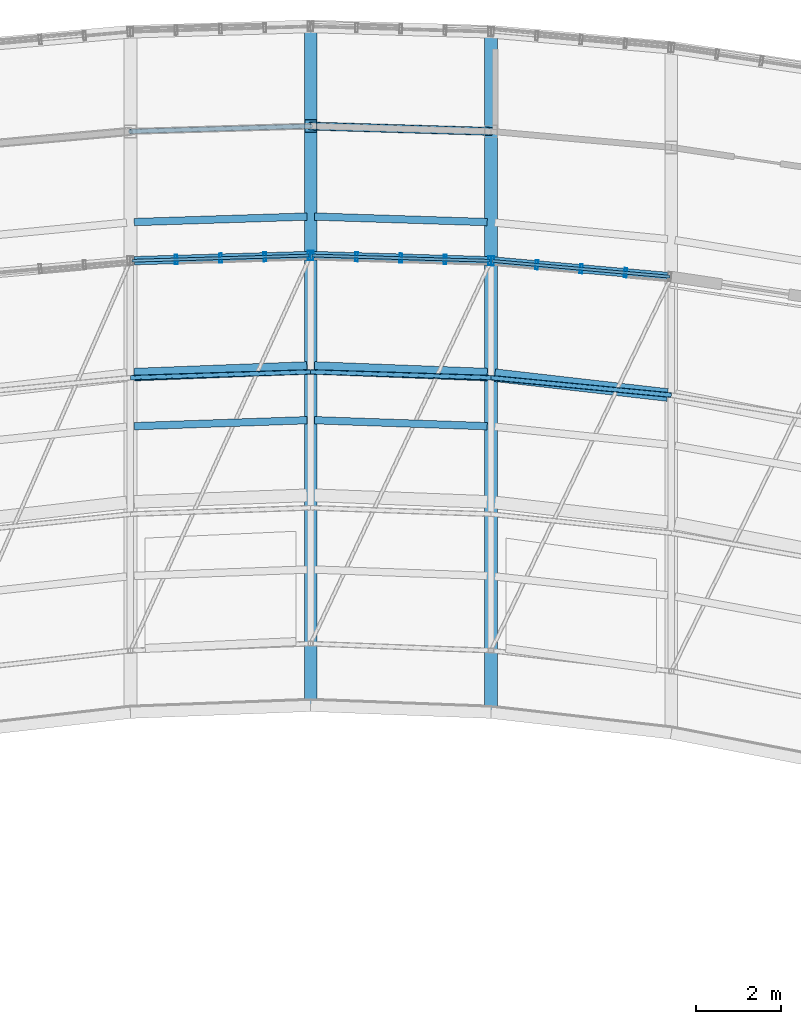
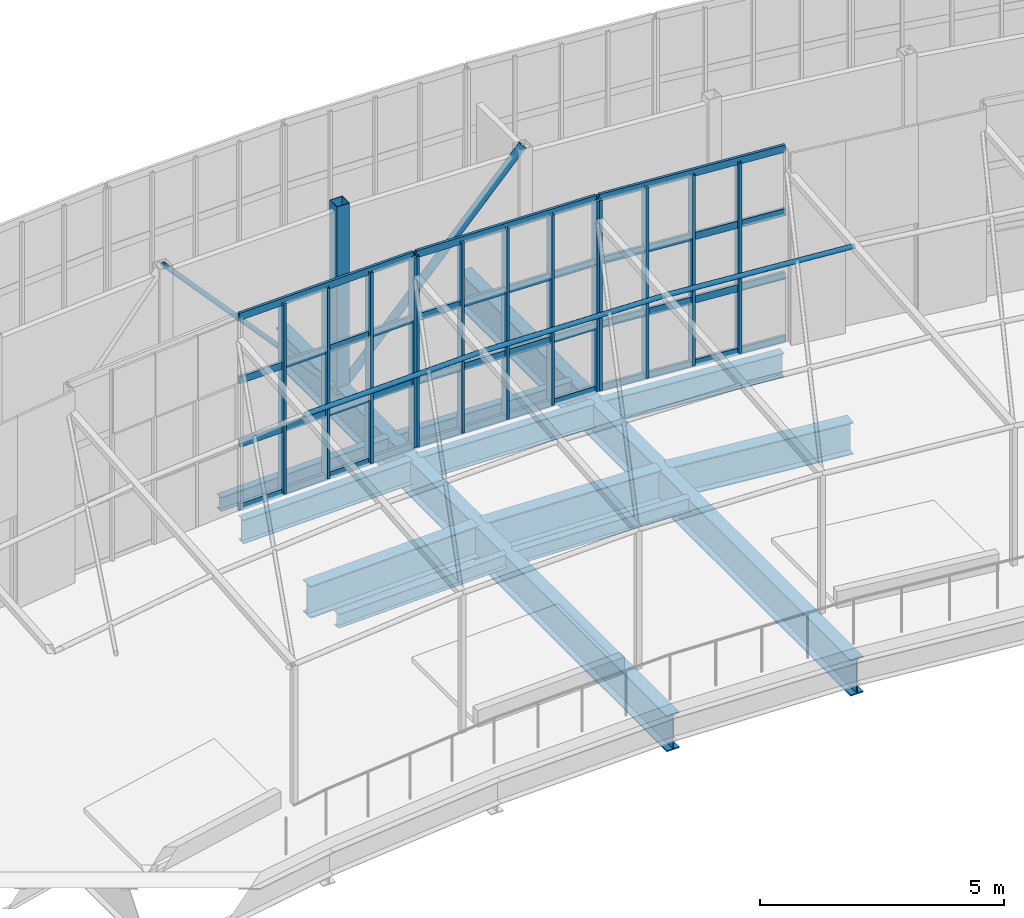
# One storey, part 20 of 35: 31 members, 12 beams, 3 elements without a shape of their own.
"""IFC4 building model written with IfcOpenShell, lengths in metres."""

from ifc_helpers import new_model, si_unit, direction, frame, origin, origin_2d, place, context, subcontext, project, spatial, hollow_rectangle, hollow_circle, i_section, extrude, material, material_profile, profile_set, type_object, element, aggregate, save


model = new_model("IFC4")

# Units and contexts
model_context = context("Model", 3, precision=1e-05, world=origin(), true_north=direction((0.0, 1.0)))
body_context = subcontext(model_context, "Body", "Model", "MODEL_VIEW")
ifc_project = project(units=[si_unit("LENGTHUNIT", "METRE"), si_unit("AREAUNIT", "SQUARE_METRE"), si_unit("VOLUMEUNIT", "CUBIC_METRE"), si_unit("PLANEANGLEUNIT", "RADIAN"), si_unit("MASSUNIT", "GRAM", prefix="KILO")], contexts=[model_context])

# Site, building, storey
site_placement = place(None, origin())
site = spatial("IfcSite", under=ifc_project, at=site_placement, CompositionType="ELEMENT")
building_placement = place(site_placement, origin())
building = spatial("IfcBuilding", under=site, at=building_placement, Name="Solvikara Media Centre", CompositionType="ELEMENT")
storey_placement = place(building_placement, frame((0.0, 0.0, 29.39990234375)))
storey = spatial("IfcBuildingStorey", under=building, at=storey_placement, Name="L06", CompositionType="ELEMENT", Elevation=29.39990234375)

# Beams
ifc_material_1 = material(Name="Steel S355JR", Category="steel")
ifc_material_profile_1 = material_profile(ifc_material_1, i_section(OverallWidth=0.300048828125, OverallDepth=0.89990234375, WebThickness=0.01611328125, FlangeThickness=0.028076171875, at=origin_2d()), Name="WF 900x300x16x28")
ifc_profile_set_1 = profile_set([ifc_material_profile_1], Name="Steel S355JR")
beam_type_1 = type_object("IfcBeamType", Name="BM-15", PredefinedType="BEAM", material=ifc_profile_set_1)
beam_1_placement = place(storey_placement, frame((102.0, 25.467041015625, -0.721923828125), z_axis=(0.0, 1.0, 0.0), x_axis=(-1.0, 0.0, 0.0)))
element("IfcBeam", 1, at=beam_1_placement, inside=storey, type_object=beam_type_1, Name="BG-L06-NS-06", PredefinedType="BEAM", context=body_context, shape_type="SweptSolid", body=[
    extrude(i_section(OverallWidth=0.300048828125, OverallDepth=0.89990234375, WebThickness=0.01611328125, FlangeThickness=0.028076171875, at=origin_2d()), origin(), (0.0, 0.0, 1.0), 16.0),
])
beam_2_placement = place(storey_placement, frame((106.25, 25.304931640625, -0.721923828125), z_axis=(0.0, 1.0, 0.0), x_axis=(-1.0, 0.0, 0.0)))
element("IfcBeam", 2, at=beam_2_placement, inside=storey, type_object=beam_type_1, Name="BG-L06-NS-07", PredefinedType="BEAM", context=body_context, shape_type="SweptSolid", body=[
    extrude(i_section(OverallWidth=0.300048828125, OverallDepth=0.89990234375, WebThickness=0.01611328125, FlangeThickness=0.028076171875, at=origin_2d()), origin(), (0.0, 0.0, 1.0), 16.0361328125),
])
ifc_material_profile_2 = material_profile(ifc_material_1, i_section(OverallWidth=0.300048828125, OverallDepth=0.800048828125, WebThickness=0.013916015625, FlangeThickness=0.02587890625, at=origin_2d()), Name="WF 800x300x14x26")
ifc_profile_set_2 = profile_set([ifc_material_profile_2], Name="Steel S355JR")
beam_type_2 = type_object("IfcBeamType", Name="BM-16", PredefinedType="BEAM", material=ifc_profile_set_2)
for number, where, z_axis, x_axis, name in (
    (3, (97.840087890625, 33.258056640625, -0.671875), (0.999266124753, 0.038304202383, 0.0), (-0.038304202383, 0.999266124753, 0.0), "B-L06-SPNN-05"),
    (4, (102.090087890625, 33.4140625, -0.671875), (0.999266124753, -0.038304202383, 0.0), (0.038304202383, 0.999266124753, 0.0), "B-L06-SPNN-06"),
):
    element("IfcBeam", number, at=place(storey_placement, frame(where, z_axis=z_axis, x_axis=x_axis)), inside=storey, type_object=beam_type_2, Name=name, PredefinedType="BEAM", context=body_context, shape_type="SweptSolid", body=[
        extrude(i_section(OverallWidth=0.300048828125, OverallDepth=0.800048828125, WebThickness=0.013916015625, FlangeThickness=0.02587890625, at=origin_2d()), origin(), (0.0, 0.0, 1.0), 4.07275390625),
    ])
beam_3_placement = place(storey_placement, frame((106.339111328125, 33.2451171875, -0.671875), z_axis=(0.993485932274, -0.113954826025, 0.0), x_axis=(0.113954826025, 0.993485932274, 0.0)))
element("IfcBeam", 5, at=beam_3_placement, inside=storey, type_object=beam_type_2, Name="B-L06-SPNN-07", PredefinedType="BEAM", context=body_context, shape_type="SweptSolid", body=[
    extrude(i_section(OverallWidth=0.300048828125, OverallDepth=0.800048828125, WebThickness=0.013916015625, FlangeThickness=0.02587890625, at=origin_2d()), origin(), (0.0, 0.0, 1.0), 4.098388671875),
])
ifc_material_profile_3 = material_profile(ifc_material_1, i_section(OverallWidth=0.199951171875, OverallDepth=0.60009765625, WebThickness=0.010986328125, FlangeThickness=0.01708984375, at=origin_2d()), Name="WF 600x200x11x17")
ifc_profile_set_3 = profile_set([ifc_material_profile_3], Name="Steel S355JR")
beam_type_3 = type_object("IfcBeamType", Name="BM-18", PredefinedType="BEAM", material=ifc_profile_set_3)
for number, where, z_axis, x_axis, name in (
    (6, (97.840087890625, 35.944091796875, -0.572021484375), (0.99956650976, 0.029441341109, 0.0), (-0.029441341109, 0.99956650976, 0.0), "BG-L06-GAL-06"),
    (7, (102.090087890625, 36.06396484375, -0.572021484375), (0.99956650976, -0.029441341109, 0.0), (0.029441341109, 0.99956650976, 0.0), "BG-L06-GAL-07"),
):
    element("IfcBeam", number, at=place(storey_placement, frame(where, z_axis=z_axis, x_axis=x_axis)), inside=storey, type_object=beam_type_3, Name=name, PredefinedType="BEAM", context=body_context, shape_type="SweptSolid", body=[
        extrude(i_section(OverallWidth=0.199951171875, OverallDepth=0.60009765625, WebThickness=0.010986328125, FlangeThickness=0.01708984375, at=origin_2d()), origin(), (0.0, 0.0, 1.0), 4.071533203125),
    ])
beam_4_placement = place(storey_placement, frame((106.340087890625, 35.93310546875, -0.572021484375), z_axis=(0.996087265317, -0.088375108902, 0.0), x_axis=(0.088375108902, 0.996087265317, 0.0)))
element("IfcBeam", 8, at=beam_4_placement, inside=storey, type_object=beam_type_3, Name="BG-L06-GAL-08", PredefinedType="BEAM", context=body_context, shape_type="SweptSolid", body=[
    extrude(i_section(OverallWidth=0.199951171875, OverallDepth=0.60009765625, WebThickness=0.010986328125, FlangeThickness=0.01708984375, at=origin_2d()), origin(), (0.0, 0.0, 1.0), 4.085693359375),
])
ifc_material_profile_4 = material_profile(ifc_material_1, i_section(OverallWidth=0.175048828125, OverallDepth=0.35009765625, WebThickness=0.007080078125, FlangeThickness=0.010986328125, at=origin_2d()), Name="WF 350x175x7x11")
ifc_profile_set_4 = profile_set([ifc_material_profile_4], Name="Steel S355JR")
beam_type_4 = type_object("IfcBeamType", Name="BM-22", PredefinedType="JOIST", material=ifc_profile_set_4)
beam_5_placement = place(storey_placement, frame((97.840087890625, 32.04296875, -0.447021484375), z_axis=(0.999399430727, 0.034652241809, 0.0), x_axis=(-0.034652241809, 0.999399430727, 0.0)))
element("IfcBeam", 9, at=beam_5_placement, inside=storey, type_object=beam_type_4, Name="BJ-L06-05-42", PredefinedType="JOIST", context=body_context, shape_type="SweptSolid", body=[
    extrude(i_section(OverallWidth=0.175048828125, OverallDepth=0.35009765625, WebThickness=0.007080078125, FlangeThickness=0.010986328125, at=origin_2d()), origin(), (0.0, 0.0, 1.0), 4.072265625),
])
beam_6_placement = place(storey_placement, frame((97.840087890625, 36.85400390625, -0.44482421875), z_axis=(0.999491149174, 0.031897378006, 0.0), x_axis=(-0.031897378006, 0.999491149174, 0.0)))
element("IfcBeam", 10, at=beam_6_placement, inside=storey, type_object=beam_type_4, Name="BJ-L06-05-72", PredefinedType="JOIST", context=body_context, shape_type="SweptSolid", body=[
    extrude(i_section(OverallWidth=0.175048828125, OverallDepth=0.35009765625, WebThickness=0.007080078125, FlangeThickness=0.010986328125, at=origin_2d()), origin(), (0.0, 0.0, 1.0), 4.07177734375),
])
beam_7_placement = place(storey_placement, frame((102.090087890625, 32.18408203125, -0.447021484375), z_axis=(0.999399430727, -0.034652241809, 0.0), x_axis=(0.034652241809, 0.999399430727, 0.0)))
element("IfcBeam", 11, at=beam_7_placement, inside=storey, type_object=beam_type_4, Name="BJ-L06-06-42", PredefinedType="JOIST", context=body_context, shape_type="SweptSolid", body=[
    extrude(i_section(OverallWidth=0.175048828125, OverallDepth=0.35009765625, WebThickness=0.007080078125, FlangeThickness=0.010986328125, at=origin_2d()), origin(), (0.0, 0.0, 1.0), 4.072265625),
])
beam_8_placement = place(storey_placement, frame((102.090087890625, 36.98388671875, -0.44482421875), z_axis=(0.999491149174, -0.031897378006, 0.0), x_axis=(0.031897378006, 0.999491149174, 0.0)))
element("IfcBeam", 12, at=beam_8_placement, inside=storey, type_object=beam_type_4, Name="BJ-L06-06-72", PredefinedType="JOIST", context=body_context, shape_type="SweptSolid", body=[
    extrude(i_section(OverallWidth=0.175048828125, OverallDepth=0.35009765625, WebThickness=0.007080078125, FlangeThickness=0.010986328125, at=origin_2d()), origin(), (0.0, 0.0, 1.0), 4.07177734375),
])

# Members
ifc_material_profile_5 = material_profile(ifc_material_1, hollow_circle(Radius=0.096923828125, WallThickness=0.008056640625, at=origin_2d()), Name="CHS 193.7x8")
ifc_profile_set_5 = profile_set([ifc_material_profile_5], Name="Steel S355JR")
member_type_1 = type_object("IfcMemberType", Name="MB-06", PredefinedType="BRACE", material=ifc_profile_set_5)
member_1_placement = place(storey_placement, frame((102.0, 39.116943359375, -0.449951171875), z_axis=(0.670578008014, -0.019876967609, 0.741572681082), x_axis=(0.029628530849, 0.99956097871, 0.0)))
element("IfcMember", 13, at=member_1_placement, inside=storey, type_object=member_type_1, Name="SKY-TR-M-DA06", PredefinedType="BRACE", context=body_context, shape_type="SweptSolid", body=[
    extrude(hollow_circle(Radius=0.096923828125, WallThickness=0.008056640625, at=origin_2d()), origin(), (0.0, 0.0, 1.0), 6.337890625),
])
ifc_material_profile_6 = material_profile(ifc_material_1, hollow_circle(Radius=0.05712890625, WallThickness=0.006103515625, at=origin_2d()), Name="CHS 114.3x6")
ifc_profile_set_6 = profile_set([ifc_material_profile_6], Name="Steel S355JR")
member_type_2 = type_object("IfcMemberType", Name="MB-09", PredefinedType="BRACE", material=ifc_profile_set_6)
member_2_placement = place(storey_placement, frame((97.75, 38.990966796875, 4.25), z_axis=(0.670578008014, 0.019876967609, -0.741572681082), x_axis=(-0.029628530849, 0.99956097871, 0.0)))
element("IfcMember", 14, at=member_2_placement, inside=storey, type_object=member_type_2, Name="SKY-TR-M-DB05", PredefinedType="BRACE", context=body_context, shape_type="SweptSolid", body=[
    extrude(hollow_circle(Radius=0.05712890625, WallThickness=0.006103515625, at=origin_2d()), origin(), (0.0, 0.0, 1.0), 6.337890625),
])
for number, where, z_axis, x_axis, name in (
    (15, (97.75, 33.18505859375, 4.010009765625), (0.999481128456, 0.032209841054, 0.0), (-0.032209841054, 0.999481128456, 0.0), "PERG-LVR-06-70"),
    (16, (102.0, 33.322021484375, 4.010009765625), (0.999481128456, -0.032209841054, 0.0), (0.032209841054, 0.999481128456, 0.0), "PERG-LVR-07-70"),
):
    element("IfcMember", number, at=place(storey_placement, frame(where, z_axis=z_axis, x_axis=x_axis)), inside=storey, type_object=member_type_2, Name=name, PredefinedType="BRACE", context=body_context, shape_type="SweptSolid", body=[
        extrude(hollow_circle(Radius=0.05712890625, WallThickness=0.006103515625, at=origin_2d()), origin(), (0.0, 0.0, 1.0), 4.252197265625),
    ])
member_3_placement = place(storey_placement, frame((106.25, 33.18505859375, 4.010009765625), z_axis=(0.995375444146, -0.096061049297, 0.0), x_axis=(0.096061049297, 0.995375444146, 0.0)))
element("IfcMember", 17, at=member_3_placement, inside=storey, type_object=member_type_2, Name="PERG-LVR-08-70", PredefinedType="BRACE", context=body_context, shape_type="SweptSolid", body=[
    extrude(hollow_circle(Radius=0.05712890625, WallThickness=0.006103515625, at=origin_2d()), origin(), (0.0, 0.0, 1.0), 4.269775390625),
])
ifc_material_profile_7 = material_profile(ifc_material_1, hollow_rectangle(XDim=0.300048828125, YDim=0.300048828125, WallThickness=0.012451171875, at=origin_2d()), Name="RHS 300x300x12.5")
ifc_profile_set_7 = profile_set([ifc_material_profile_7], Name="Steel S355JR")
member_type_3 = type_object("IfcMemberType", Name="MB-11", PredefinedType="CHORD", material=ifc_profile_set_7)
member_4_placement = place(storey_placement, frame((102.0, 39.116943359375, -0.449951171875), z_axis=(0.0, 0.0, 1.0), x_axis=(1.0, 0.0, 0.0)))
element("IfcMember", 18, at=member_4_placement, inside=storey, type_object=member_type_3, Name="SKY-TR-M-V06", PredefinedType="CHORD", context=body_context, shape_type="SweptSolid", body=[
    extrude(hollow_rectangle(XDim=0.300048828125, YDim=0.300048828125, WallThickness=0.012451171875, at=origin_2d()), origin(), (0.0, 0.0, 1.0), 4.699951171875),
])

# Curtain wall, members
ifc_material_2 = material(Name="Anodised aluminium EN AW-6063", Category="aluminium")
curtain_wall_type = type_object("IfcCurtainWallType", Name="CW-13", PredefinedType="NOTDEFINED", material=ifc_material_2)
curtain_wall_1_placement = place(storey_placement, origin())
curtain_wall_1 = element("IfcCurtainWall", 19, at=curtain_wall_1_placement, inside=storey, type_object=curtain_wall_type, Name="CW-L06-GALS-05", PredefinedType="NOTDEFINED")
ifc_material_profile_8 = material_profile(ifc_material_2, hollow_rectangle(XDim=0.06494140625, YDim=0.219970703125, WallThickness=0.00390625, at=origin_2d()), Name="ALU-M 65x220x4")
ifc_profile_set_8 = profile_set([ifc_material_profile_8], Name="Anodised aluminium EN AW-6063")
member_type_4 = type_object("IfcMemberType", Name="MF-01", PredefinedType="MULLION", material=ifc_profile_set_8)
member_5_placement = place(storey_placement, frame((98.830078125, 35.972900390625, 0.02001953125), z_axis=(0.0, 0.0, 1.0), x_axis=(0.999560377741, 0.02964879847, 0.0)))
member_5 = element("IfcMember", 20, at=member_5_placement, type_object=member_type_4, Name="CW-L06-GALS-05-M01", PredefinedType="MULLION", context=body_context, shape_type="SweptSolid", body=[
    extrude(hollow_rectangle(XDim=0.06494140625, YDim=0.219970703125, WallThickness=0.00390625, at=origin_2d()), origin(), (0.0, 0.0, 1.0), 4.760009765625),
])
member_6_placement = place(storey_placement, frame((99.875, 36.00390625, 0.02001953125), z_axis=(0.0, 0.0, 1.0), x_axis=(0.999560377741, 0.02964879847, 0.0)))
member_6 = element("IfcMember", 21, at=member_6_placement, type_object=member_type_4, Name="CW-L06-GALS-05-M02", PredefinedType="MULLION", context=body_context, shape_type="SweptSolid", body=[
    extrude(hollow_rectangle(XDim=0.06494140625, YDim=0.219970703125, WallThickness=0.00390625, at=origin_2d()), origin(), (0.0, 0.0, 1.0), 4.760009765625),
])
member_7_placement = place(storey_placement, frame((100.919921875, 36.034912109375, 0.02001953125), z_axis=(0.0, 0.0, 1.0), x_axis=(0.999560377741, 0.02964879847, 0.0)))
member_7 = element("IfcMember", 22, at=member_7_placement, type_object=member_type_4, Name="CW-L06-GALS-05-M03", PredefinedType="MULLION", context=body_context, shape_type="SweptSolid", body=[
    extrude(hollow_rectangle(XDim=0.06494140625, YDim=0.219970703125, WallThickness=0.00390625, at=origin_2d()), origin(), (0.0, 0.0, 1.0), 4.760009765625),
])
member_8_placement = place(storey_placement, frame((101.965087890625, 36.06591796875, 0.02001953125), z_axis=(0.0, 0.0, 1.0), x_axis=(0.999560377741, 0.02964879847, 0.0)))
member_8 = element("IfcMember", 23, at=member_8_placement, type_object=member_type_4, Name="CW-L06-GALS-05-M04", PredefinedType="MULLION", context=body_context, shape_type="SweptSolid", body=[
    extrude(hollow_rectangle(XDim=0.06494140625, YDim=0.219970703125, WallThickness=0.00390625, at=origin_2d()), origin(), (0.0, 0.0, 1.0), 4.760009765625),
])

curtain_wall_2_placement = place(storey_placement, origin())
curtain_wall_2 = element("IfcCurtainWall", 24, at=curtain_wall_2_placement, inside=storey, type_object=curtain_wall_type, Name="CW-L06-GALS-06", PredefinedType="NOTDEFINED")
member_9_placement = place(storey_placement, frame((102.034912109375, 36.06591796875, 0.02001953125), z_axis=(0.0, 0.0, 1.0), x_axis=(0.999560377741, -0.02964879847, 0.0)))
member_9 = element("IfcMember", 25, at=member_9_placement, type_object=member_type_4, Name="CW-L06-GALS-06-M00", PredefinedType="MULLION", context=body_context, shape_type="SweptSolid", body=[
    extrude(hollow_rectangle(XDim=0.06494140625, YDim=0.219970703125, WallThickness=0.00390625, at=origin_2d()), origin(), (0.0, 0.0, 1.0), 4.760009765625),
])
member_10_placement = place(storey_placement, frame((103.080078125, 36.034912109375, 0.02001953125), z_axis=(0.0, 0.0, 1.0), x_axis=(0.999560377741, -0.02964879847, 0.0)))
member_10 = element("IfcMember", 26, at=member_10_placement, type_object=member_type_4, Name="CW-L06-GALS-06-M01", PredefinedType="MULLION", context=body_context, shape_type="SweptSolid", body=[
    extrude(hollow_rectangle(XDim=0.06494140625, YDim=0.219970703125, WallThickness=0.00390625, at=origin_2d()), origin(), (0.0, 0.0, 1.0), 4.760009765625),
])
member_11_placement = place(storey_placement, frame((104.125, 36.00390625, 0.02001953125), z_axis=(0.0, 0.0, 1.0), x_axis=(0.999560377741, -0.02964879847, 0.0)))
member_11 = element("IfcMember", 27, at=member_11_placement, type_object=member_type_4, Name="CW-L06-GALS-06-M02", PredefinedType="MULLION", context=body_context, shape_type="SweptSolid", body=[
    extrude(hollow_rectangle(XDim=0.06494140625, YDim=0.219970703125, WallThickness=0.00390625, at=origin_2d()), origin(), (0.0, 0.0, 1.0), 4.760009765625),
])
member_12_placement = place(storey_placement, frame((105.169921875, 35.972900390625, 0.02001953125), z_axis=(0.0, 0.0, 1.0), x_axis=(0.999560377741, -0.02964879847, 0.0)))
member_12 = element("IfcMember", 28, at=member_12_placement, type_object=member_type_4, Name="CW-L06-GALS-06-M03", PredefinedType="MULLION", context=body_context, shape_type="SweptSolid", body=[
    extrude(hollow_rectangle(XDim=0.06494140625, YDim=0.219970703125, WallThickness=0.00390625, at=origin_2d()), origin(), (0.0, 0.0, 1.0), 4.760009765625),
])
member_13_placement = place(storey_placement, frame((106.215087890625, 35.94189453125, 0.02001953125), z_axis=(0.0, 0.0, 1.0), x_axis=(0.999560377741, -0.02964879847, 0.0)))
member_13 = element("IfcMember", 29, at=member_13_placement, type_object=member_type_4, Name="CW-L06-GALS-06-M04", PredefinedType="MULLION", context=body_context, shape_type="SweptSolid", body=[
    extrude(hollow_rectangle(XDim=0.06494140625, YDim=0.219970703125, WallThickness=0.00390625, at=origin_2d()), origin(), (0.0, 0.0, 1.0), 4.760009765625),
])

curtain_wall_3_placement = place(storey_placement, origin())
curtain_wall_3 = element("IfcCurtainWall", 30, at=curtain_wall_3_placement, inside=storey, type_object=curtain_wall_type, Name="CW-L06-GALS-07", PredefinedType="NOTDEFINED")
member_14_placement = place(storey_placement, frame((106.284912109375, 35.93798828125, 0.02001953125), z_axis=(0.0, 0.0, 1.0), x_axis=(0.99608438842, -0.088407528781, 0.0)))
member_14 = element("IfcMember", 31, at=member_14_placement, type_object=member_type_4, Name="CW-L06-GALS-07-M00", PredefinedType="MULLION", context=body_context, shape_type="SweptSolid", body=[
    extrude(hollow_rectangle(XDim=0.06494140625, YDim=0.219970703125, WallThickness=0.00390625, at=origin_2d()), origin(), (0.0, 0.0, 1.0), 4.760009765625),
])
member_15_placement = place(storey_placement, frame((107.330078125, 35.844970703125, 0.02001953125), z_axis=(0.0, 0.0, 1.0), x_axis=(0.99608438842, -0.088407528781, 0.0)))
member_15 = element("IfcMember", 32, at=member_15_placement, type_object=member_type_4, Name="CW-L06-GALS-07-M01", PredefinedType="MULLION", context=body_context, shape_type="SweptSolid", body=[
    extrude(hollow_rectangle(XDim=0.06494140625, YDim=0.219970703125, WallThickness=0.00390625, at=origin_2d()), origin(), (0.0, 0.0, 1.0), 4.760009765625),
])
member_16_placement = place(storey_placement, frame((108.375, 35.7529296875, 0.02001953125), z_axis=(0.0, 0.0, 1.0), x_axis=(0.99608438842, -0.088407528781, 0.0)))
member_16 = element("IfcMember", 33, at=member_16_placement, type_object=member_type_4, Name="CW-L06-GALS-07-M02", PredefinedType="MULLION", context=body_context, shape_type="SweptSolid", body=[
    extrude(hollow_rectangle(XDim=0.06494140625, YDim=0.219970703125, WallThickness=0.00390625, at=origin_2d()), origin(), (0.0, 0.0, 1.0), 4.760009765625),
])
member_17_placement = place(storey_placement, frame((109.419921875, 35.659912109375, 0.02001953125), z_axis=(0.0, 0.0, 1.0), x_axis=(0.99608438842, -0.088407528781, 0.0)))
member_17 = element("IfcMember", 34, at=member_17_placement, type_object=member_type_4, Name="CW-L06-GALS-07-M03", PredefinedType="MULLION", context=body_context, shape_type="SweptSolid", body=[
    extrude(hollow_rectangle(XDim=0.06494140625, YDim=0.219970703125, WallThickness=0.00390625, at=origin_2d()), origin(), (0.0, 0.0, 1.0), 4.760009765625),
])

# Member
ifc_material_profile_9 = material_profile(ifc_material_2, hollow_rectangle(XDim=0.06494140625, YDim=0.179931640625, WallThickness=0.00341796875, at=origin_2d()), Name="ALU-T 65x180x3.5")
ifc_profile_set_9 = profile_set([ifc_material_profile_9], Name="Anodised aluminium EN AW-6063")
member_type_5 = type_object("IfcMemberType", Name="MF-07", PredefinedType="USERDEFINED", material=ifc_profile_set_9)
member_18_placement = place(storey_placement, frame((97.784912109375, 35.94189453125, 0.02001953125), z_axis=(0.999560152797, 0.029656381125, 0.0), x_axis=(-0.029656381125, 0.999560152797, 0.0)))
member_18 = element("IfcMember", 35, at=member_18_placement, type_object=member_type_5, Name="CW-L06-GALS-05-T00", ObjectType="TRANSOM", PredefinedType="USERDEFINED", context=body_context, shape_type="SweptSolid", body=[
    extrude(hollow_rectangle(XDim=0.06494140625, YDim=0.179931640625, WallThickness=0.00341796875, at=origin_2d()), origin(), (0.0, 0.0, 1.0), 4.18212890625),
])

member_19_placement = place(storey_placement, frame((97.784912109375, 35.94189453125, 1.607177734375), z_axis=(0.999560152797, 0.029656381125, 0.0), x_axis=(-0.029656381125, 0.999560152797, 0.0)))
member_19 = element("IfcMember", 36, at=member_19_placement, type_object=member_type_5, Name="CW-L06-GALS-05-T01", ObjectType="TRANSOM", PredefinedType="USERDEFINED", context=body_context, shape_type="SweptSolid", body=[
    extrude(hollow_rectangle(XDim=0.06494140625, YDim=0.179931640625, WallThickness=0.00341796875, at=origin_2d()), origin(), (0.0, 0.0, 1.0), 4.18212890625),
])

member_20_placement = place(storey_placement, frame((97.784912109375, 35.94189453125, 3.193115234375), z_axis=(0.999560152797, 0.029656381125, 0.0), x_axis=(-0.029656381125, 0.999560152797, 0.0)))
member_20 = element("IfcMember", 37, at=member_20_placement, type_object=member_type_5, Name="CW-L06-GALS-05-T02", ObjectType="TRANSOM", PredefinedType="USERDEFINED", context=body_context, shape_type="SweptSolid", body=[
    extrude(hollow_rectangle(XDim=0.06494140625, YDim=0.179931640625, WallThickness=0.00341796875, at=origin_2d()), origin(), (0.0, 0.0, 1.0), 4.18212890625),
])

member_21_placement = place(storey_placement, frame((97.784912109375, 35.94189453125, 4.780029296875), z_axis=(0.999560152797, 0.029656381125, 0.0), x_axis=(-0.029656381125, 0.999560152797, 0.0)))
member_21 = element("IfcMember", 38, at=member_21_placement, type_object=member_type_5, Name="CW-L06-GALS-05-T03", ObjectType="TRANSOM", PredefinedType="USERDEFINED", context=body_context, shape_type="SweptSolid", body=[
    extrude(hollow_rectangle(XDim=0.06494140625, YDim=0.179931640625, WallThickness=0.00341796875, at=origin_2d()), origin(), (0.0, 0.0, 1.0), 4.18212890625),
])

aggregate(curtain_wall_1, [member_5, member_6, member_7, member_8, member_18, member_19, member_20, member_21])

member_22_placement = place(storey_placement, frame((102.034912109375, 36.06591796875, 0.02001953125), z_axis=(0.999560152797, -0.029656381125, 0.0), x_axis=(0.029656381125, 0.999560152797, 0.0)))
member_22 = element("IfcMember", 39, at=member_22_placement, type_object=member_type_5, Name="CW-L06-GALS-06-T00", ObjectType="TRANSOM", PredefinedType="USERDEFINED", context=body_context, shape_type="SweptSolid", body=[
    extrude(hollow_rectangle(XDim=0.06494140625, YDim=0.179931640625, WallThickness=0.00341796875, at=origin_2d()), origin(), (0.0, 0.0, 1.0), 4.18212890625),
])

member_23_placement = place(storey_placement, frame((102.034912109375, 36.06591796875, 1.607177734375), z_axis=(0.999560152797, -0.029656381125, 0.0), x_axis=(0.029656381125, 0.999560152797, 0.0)))
member_23 = element("IfcMember", 40, at=member_23_placement, type_object=member_type_5, Name="CW-L06-GALS-06-T01", ObjectType="TRANSOM", PredefinedType="USERDEFINED", context=body_context, shape_type="SweptSolid", body=[
    extrude(hollow_rectangle(XDim=0.06494140625, YDim=0.179931640625, WallThickness=0.00341796875, at=origin_2d()), origin(), (0.0, 0.0, 1.0), 4.18212890625),
])

member_24_placement = place(storey_placement, frame((102.034912109375, 36.06591796875, 3.193115234375), z_axis=(0.999560152797, -0.029656381125, 0.0), x_axis=(0.029656381125, 0.999560152797, 0.0)))
member_24 = element("IfcMember", 41, at=member_24_placement, type_object=member_type_5, Name="CW-L06-GALS-06-T02", ObjectType="TRANSOM", PredefinedType="USERDEFINED", context=body_context, shape_type="SweptSolid", body=[
    extrude(hollow_rectangle(XDim=0.06494140625, YDim=0.179931640625, WallThickness=0.00341796875, at=origin_2d()), origin(), (0.0, 0.0, 1.0), 4.18212890625),
])

member_25_placement = place(storey_placement, frame((102.034912109375, 36.06591796875, 4.780029296875), z_axis=(0.999560152797, -0.029656381125, 0.0), x_axis=(0.029656381125, 0.999560152797, 0.0)))
member_25 = element("IfcMember", 42, at=member_25_placement, type_object=member_type_5, Name="CW-L06-GALS-06-T03", ObjectType="TRANSOM", PredefinedType="USERDEFINED", context=body_context, shape_type="SweptSolid", body=[
    extrude(hollow_rectangle(XDim=0.06494140625, YDim=0.179931640625, WallThickness=0.00341796875, at=origin_2d()), origin(), (0.0, 0.0, 1.0), 4.18212890625),
])

aggregate(curtain_wall_2, [member_9, member_10, member_11, member_12, member_13, member_22, member_23, member_24, member_25])

member_26_placement = place(storey_placement, frame((106.284912109375, 35.93798828125, 0.02001953125), z_axis=(0.996082667522, -0.088426915935, 0.0), x_axis=(0.088426915935, 0.996082667522, 0.0)))
member_26 = element("IfcMember", 43, at=member_26_placement, type_object=member_type_5, Name="CW-L06-GALS-07-T00", ObjectType="TRANSOM", PredefinedType="USERDEFINED", context=body_context, shape_type="SweptSolid", body=[
    extrude(hollow_rectangle(XDim=0.06494140625, YDim=0.179931640625, WallThickness=0.00341796875, at=origin_2d()), origin(), (0.0, 0.0, 1.0), 4.196533203125),
])

member_27_placement = place(storey_placement, frame((106.284912109375, 35.93798828125, 1.607177734375), z_axis=(0.996082667522, -0.088426915935, 0.0), x_axis=(0.088426915935, 0.996082667522, 0.0)))
member_27 = element("IfcMember", 44, at=member_27_placement, type_object=member_type_5, Name="CW-L06-GALS-07-T01", ObjectType="TRANSOM", PredefinedType="USERDEFINED", context=body_context, shape_type="SweptSolid", body=[
    extrude(hollow_rectangle(XDim=0.06494140625, YDim=0.179931640625, WallThickness=0.00341796875, at=origin_2d()), origin(), (0.0, 0.0, 1.0), 4.196533203125),
])

member_28_placement = place(storey_placement, frame((106.284912109375, 35.93798828125, 3.193115234375), z_axis=(0.996082667522, -0.088426915935, 0.0), x_axis=(0.088426915935, 0.996082667522, 0.0)))
member_28 = element("IfcMember", 45, at=member_28_placement, type_object=member_type_5, Name="CW-L06-GALS-07-T02", ObjectType="TRANSOM", PredefinedType="USERDEFINED", context=body_context, shape_type="SweptSolid", body=[
    extrude(hollow_rectangle(XDim=0.06494140625, YDim=0.179931640625, WallThickness=0.00341796875, at=origin_2d()), origin(), (0.0, 0.0, 1.0), 4.196533203125),
])

member_29_placement = place(storey_placement, frame((106.284912109375, 35.93798828125, 4.780029296875), z_axis=(0.996082667522, -0.088426915935, 0.0), x_axis=(0.088426915935, 0.996082667522, 0.0)))
member_29 = element("IfcMember", 46, at=member_29_placement, type_object=member_type_5, Name="CW-L06-GALS-07-T03", ObjectType="TRANSOM", PredefinedType="USERDEFINED", context=body_context, shape_type="SweptSolid", body=[
    extrude(hollow_rectangle(XDim=0.06494140625, YDim=0.179931640625, WallThickness=0.00341796875, at=origin_2d()), origin(), (0.0, 0.0, 1.0), 4.196533203125),
])

aggregate(curtain_wall_3, [member_14, member_15, member_16, member_17, member_26, member_27, member_28, member_29])

save(model, "model.ifc")
